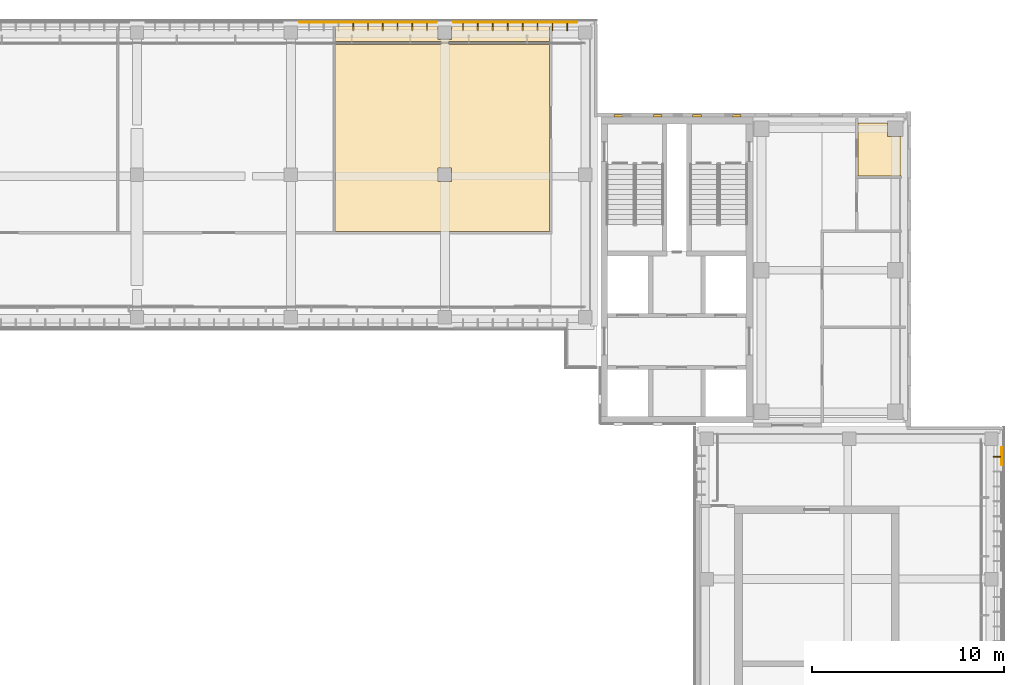
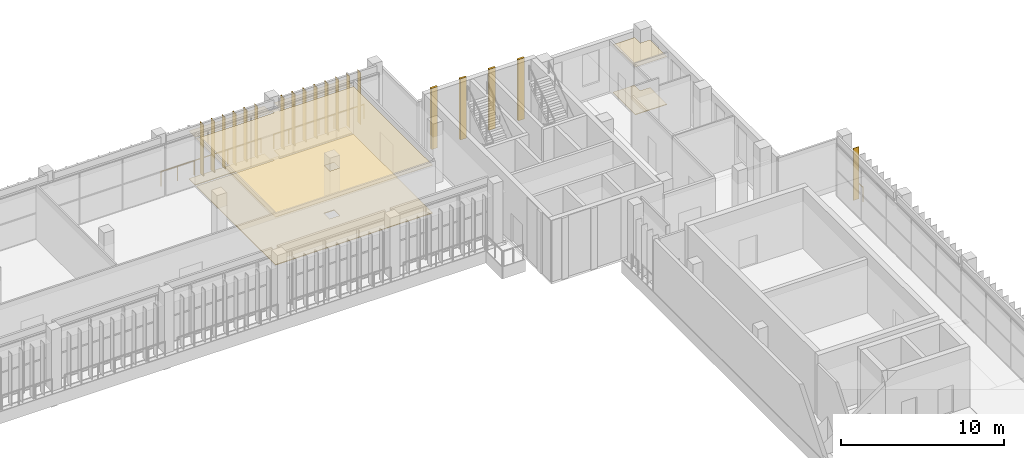
# One storey, part 73 of 73: 15 shading devices, 8 coverings, 3 railings.
"""IFC4 building model written with IfcOpenShell, lengths in metres."""

from ifc_helpers import new_model, si_unit, direction, frame, frame_2d, origin, origin_2d, place, context, subcontext, project, spatial, polyline, rectangle, circle, outline, extrude, material, layer, layer_set, type_object, element, save


model = new_model("IFC4")

# Units and contexts
model_context = context("Model", 3, precision=1e-05, world=origin(), true_north=direction((0.0, 1.0)))
body_context = subcontext(model_context, "Body", "Model", "MODEL_VIEW")
ifc_project = project(units=[si_unit("LENGTHUNIT", "METRE"), si_unit("AREAUNIT", "SQUARE_METRE"), si_unit("VOLUMEUNIT", "CUBIC_METRE"), si_unit("PLANEANGLEUNIT", "RADIAN"), si_unit("MASSUNIT", "GRAM", prefix="KILO")], contexts=[model_context])

# Site, building, storey
site_placement = place(None, origin())
site = spatial("IfcSite", under=ifc_project, at=site_placement, CompositionType="ELEMENT")
building_placement = place(site_placement, origin())
building = spatial("IfcBuilding", under=site, at=building_placement, Name="Lantern Court Media Centre", CompositionType="ELEMENT")
storey_placement = place(building_placement, frame((0.0, 0.0, 24.0)))
storey = spatial("IfcBuildingStorey", under=building, at=storey_placement, Name="L05", CompositionType="ELEMENT", Elevation=24.0)

# Coverings
ifc_material_1 = material(Name="Carpet")
ifc_layer_1 = layer(ifc_material_1, 0.050048828125)
ifc_layer_set_1 = layer_set([ifc_layer_1], Name="Carpet")
covering_type_1 = type_object("IfcCoveringType", Name="Carpet floor finish", PredefinedType="FLOORING", material=ifc_layer_set_1)
covering_1_placement = place(storey_placement, origin())
element("IfcCovering", 1, at=covering_1_placement, inside=storey, type_object=covering_type_1, Name="Media Training Room 03 floor finish", PredefinedType="FLOORING", context=body_context, shape_type="SweptSolid", body=[
    extrude(outline(polyline([(77.4326171875, 116.699951171875), (77.4326171875, 115.929931640625), (72.195068359375, 115.925048828125), (72.199951171875, 115.77001953125), (77.4326171875, 115.77001953125), (77.4326171875, 106.0673828125), (66.304931640625, 106.0673828125), (66.304931640625, 115.77001953125), (71.804931640625, 115.77490234375), (71.800048828125, 115.929931640625), (66.304931640625, 115.929931640625), (66.304931640625, 116.699951171875), (71.64501953125, 116.699951171875), (71.64990234375, 116.044921875), (72.353515625, 116.04638671875), (72.35498046875, 116.699951171875), (77.4326171875, 116.699951171875)]), holes=[polyline([(71.64501953125, 108.64990234375), (72.353515625, 108.646484375), (72.353515625, 109.353515625), (71.646484375, 109.353515625), (71.64501953125, 108.64990234375)])]), origin(), (0.0, 0.0, 1.0), 0.050048828125),
])
covering_2_placement = place(storey_placement, origin())
element("IfcCovering", 2, at=covering_2_placement, inside=storey, type_object=covering_type_1, Name="WC Male floor finish", PredefinedType="FLOORING", context=body_context, shape_type="SweptSolid", body=[
    extrude(outline(polyline([(95.699951171875, 108.943115234375), (93.467529296875, 108.943115234375), (93.467529296875, 111.699951171875), (94.9951171875, 111.699951171875), (94.99658203125, 110.99658203125), (95.699951171875, 110.9951171875), (95.699951171875, 108.943115234375)])), origin(), (0.0, 0.0, 1.0), 0.050048828125),
])

# Railings
ifc_material_2 = material(Name="Powder-coated steel", Category="steel")
railing_type = type_object("IfcRailingType", Name="Floor edge guard 1100", PredefinedType="GUARDRAIL", material=ifc_material_2)
railing_1_placement = place(storey_placement, frame((64.464111328125, 116.93994140625, 0.0)))
element("IfcRailing", 3, at=railing_1_placement, inside=storey, type_object=railing_type, Name="L05 edge guard 184", PredefinedType="GUARDRAIL", context=body_context, shape_type="SweptSolid", body=[
    extrude(circle(Radius=0.02392578125, at=origin_2d()), frame((0.0, 0.0, 1.076171875), z_axis=(1.0, 0.0, 0.0), x_axis=(0.0, 1.0, 0.0)), (0.0, 0.0, 1.0), 7.097900390625),
    extrude(circle(Radius=0.02099609375, at=origin_2d()), origin(), (0.0, 0.0, 1.0), 1.052001953125),
    extrude(circle(Radius=0.02099609375, at=origin_2d()), frame((1.18310546875, 0.0, 0.0)), (0.0, 0.0, 1.0), 1.052001953125),
    extrude(circle(Radius=0.02099609375, at=origin_2d()), frame((2.365966796875, 0.0, 0.0)), (0.0, 0.0, 1.0), 1.052001953125),
    extrude(circle(Radius=0.02099609375, at=origin_2d()), frame((3.548828125, 0.0, 0.0)), (0.0, 0.0, 1.0), 1.052001953125),
    extrude(circle(Radius=0.02099609375, at=origin_2d()), frame((4.73193359375, 0.0, 0.0)), (0.0, 0.0, 1.0), 1.052001953125),
    extrude(circle(Radius=0.02099609375, at=origin_2d()), frame((5.9150390625, 0.0, 0.0)), (0.0, 0.0, 1.0), 1.052001953125),
    extrude(circle(Radius=0.02099609375, at=origin_2d()), frame((7.097900390625, 0.0, 0.0)), (0.0, 0.0, 1.0), 1.052001953125),
])
railing_2_placement = place(storey_placement, frame((72.4619140625, 116.93994140625, 0.0)))
element("IfcRailing", 4, at=railing_2_placement, inside=storey, type_object=railing_type, Name="L05 edge guard 187", PredefinedType="GUARDRAIL", context=body_context, shape_type="SweptSolid", body=[
    extrude(circle(Radius=0.02392578125, at=origin_2d()), frame((0.0, 0.0, 1.076171875), z_axis=(1.0, 0.0, 0.0), x_axis=(0.0, 1.0, 0.0)), (0.0, 0.0, 1.0), 6.398193359375),
    extrude(circle(Radius=0.02099609375, at=origin_2d()), origin(), (0.0, 0.0, 1.0), 1.052001953125),
    extrude(circle(Radius=0.02099609375, at=origin_2d()), frame((1.06640625, 0.0, 0.0)), (0.0, 0.0, 1.0), 1.052001953125),
    extrude(circle(Radius=0.02099609375, at=origin_2d()), frame((2.1328125, 0.0, 0.0)), (0.0, 0.0, 1.0), 1.052001953125),
    extrude(circle(Radius=0.02099609375, at=origin_2d()), frame((3.19921875, 0.0, 0.0)), (0.0, 0.0, 1.0), 1.052001953125),
    extrude(circle(Radius=0.02099609375, at=origin_2d()), frame((4.265380859375, 0.0, 0.0)), (0.0, 0.0, 1.0), 1.052001953125),
    extrude(circle(Radius=0.02099609375, at=origin_2d()), frame((5.331787109375, 0.0, 0.0)), (0.0, 0.0, 1.0), 1.052001953125),
    extrude(circle(Radius=0.02099609375, at=origin_2d()), frame((6.398193359375, 0.0, 0.0)), (0.0, 0.0, 1.0), 1.052001953125),
])
railing_3_placement = place(storey_placement, frame((100.93994140625, 94.841064453125, 0.0)))
element("IfcRailing", 5, at=railing_3_placement, inside=storey, type_object=railing_type, Name="L05 edge guard 195", PredefinedType="GUARDRAIL", context=body_context, shape_type="SweptSolid", body=[
    extrude(circle(Radius=0.02392578125, at=origin_2d()), frame((0.0, 0.0, 1.076171875), z_axis=(0.0, -1.0, 0.0), x_axis=(1.0, 0.0, 0.0)), (0.0, 0.0, 1.0), 0.900146484375),
    extrude(circle(Radius=0.02099609375, at=origin_2d()), origin(), (0.0, 0.0, 1.0), 1.052001953125),
    extrude(circle(Radius=0.02099609375, at=origin_2d()), frame((0.0, -0.900146484375, 0.0)), (0.0, 0.0, 1.0), 1.052001953125),
])

# Coverings
ifc_material_3 = material(Name="Honed limestone cladding", Category="masonry")
ifc_layer_2 = layer(ifc_material_3, 0.14990234375)
ifc_layer_set_2 = layer_set([ifc_layer_2], Name="Honed limestone cladding")
covering_type_2 = type_object("IfcCoveringType", Name="Limestone pilaster cladding 150", PredefinedType="CLADDING", material=ifc_layer_set_2)
covering_3_placement = place(storey_placement, frame((80.77490234375, 112.074951171875, 0.0), z_axis=(0.0, 0.0, 1.0), x_axis=(1.0, 0.0, 0.0)))
element("IfcCovering", 6, at=covering_3_placement, inside=storey, type_object=covering_type_2, Name="Limestone pilaster rib", PredefinedType="CLADDING", context=body_context, shape_type="SweptSolid", body=[
    extrude(rectangle(XDim=0.4501953125, YDim=0.14990234375, at=frame_2d((0.22509765625, 0.0))), origin(), (0.0, 0.0, 1.0), 4.580078125),
])
for number, where, z_axis, x_axis, name in (
    (7, (82.824951171875, 112.074951171875, 0.0), (0.0, 0.0, 1.0), (1.0, 0.0, 0.0), "Limestone pilaster rib"),
    (8, (84.875, 112.074951171875, 0.0), (0.0, 0.0, 1.0), (1.0, 0.0, 0.0), "Limestone pilaster rib"),
    (9, (86.925048828125, 112.074951171875, 0.0), (0.0, 0.0, 1.0), (1.0, 0.0, 0.0), "Limestone pilaster rib"),
):
    element("IfcCovering", number, at=place(storey_placement, frame(where, z_axis=z_axis, x_axis=x_axis)), inside=storey, type_object=covering_type_2, Name=name, PredefinedType="CLADDING", context=body_context, shape_type="SweptSolid", body=[
        extrude(rectangle(XDim=0.449951171875, YDim=0.14990234375, at=frame_2d((0.22509765625, 0.0))), origin(), (0.0, 0.0, 1.0), 4.580078125),
    ])
ifc_material_4 = material(Name="Mineral fibre ceiling tile")
ifc_layer_3 = layer(ifc_material_4, 0.02001953125)
ifc_layer_set_3 = layer_set([ifc_layer_3], Name="Mineral fibre ceiling tile")
covering_type_3 = type_object("IfcCoveringType", Name="Suspended ceiling tile", PredefinedType="CEILING", material=ifc_layer_set_3)
covering_4_placement = place(storey_placement, frame((0.0, 0.0, 3.60009765625)))
element("IfcCovering", 10, at=covering_4_placement, inside=storey, type_object=covering_type_3, Name="Media Training Room 03 ceiling", PredefinedType="CEILING", context=body_context, shape_type="SweptSolid", body=[
    extrude(outline(polyline([(77.5, 115.7705078125), (77.43701171875, 115.77001953125), (77.43701171875, 106.06298828125), (66.300537109375, 106.06298828125), (66.300537109375, 115.77001953125), (66.25, 115.7744140625), (71.800537109375, 115.77490234375), (71.800048828125, 115.925537109375), (66.25, 115.925537109375), (66.300537109375, 115.929931640625), (66.300537109375, 116.699951171875), (71.6494140625, 116.699951171875), (71.64990234375, 116.049560546875), (72.350341796875, 116.049560546875), (72.3505859375, 116.699951171875), (77.43701171875, 116.699951171875), (77.43701171875, 115.929931640625), (77.5, 115.925537109375), (72.199951171875, 115.925537109375), (72.199462890625, 115.77490234375), (77.5, 115.7705078125)]), holes=[polyline([(72.35009765625, 108.6494140625), (72.350341796875, 109.350341796875), (71.649658203125, 109.350341796875), (71.649658203125, 108.649658203125), (72.35009765625, 108.6494140625)])]), origin(), (0.0, 0.0, 1.0), 0.02001953125),
])
covering_5_placement = place(storey_placement, frame((0.0, 0.0, 3.60009765625)))
element("IfcCovering", 11, at=covering_5_placement, inside=storey, type_object=covering_type_3, Name="WC Male ceiling", PredefinedType="CEILING", context=body_context, shape_type="SweptSolid", body=[
    extrude(outline(polyline([(95.699951171875, 108.9384765625), (93.462890625, 108.9384765625), (93.462890625, 111.699951171875), (94.99951171875, 111.699951171875), (94.999755859375, 110.999755859375), (95.699951171875, 110.99951171875), (95.699951171875, 108.9384765625)])), origin(), (0.0, 0.0, 1.0), 0.02001953125),
])

# Shading devices
ifc_material_5 = material(Name="Bronze anodised aluminium louvre", Category="aluminium")
ifc_layer_4 = layer(ifc_material_5, 0.0400390625)
ifc_layer_set_4 = layer_set([ifc_layer_4], Name="Bronze anodised aluminium louvre")
shading_device_type = type_object("IfcShadingDeviceType", Name="Vertical louvre 40x400 under beam", PredefinedType="USERDEFINED", material=ifc_layer_set_4)
for number, where, z_axis, x_axis, name in (
    (12, (67.2333984375, 116.679931640625, 0.0), (0.0, 0.0, 1.0), (1.0, 0.0, 0.0), "Vertical louvre N outer L05"),
    (13, (68.0, 116.679931640625, 0.0), (0.0, 0.0, 1.0), (1.0, 0.0, 0.0), "Vertical louvre N outer L05"),
    (14, (68.7666015625, 116.679931640625, 0.0), (0.0, 0.0, 1.0), (1.0, 0.0, 0.0), "Vertical louvre N outer L05"),
    (15, (69.533447265625, 116.679931640625, 0.0), (0.0, 0.0, 1.0), (1.0, 0.0, 0.0), "Vertical louvre N outer L05"),
    (16, (70.300048828125, 116.679931640625, 0.0), (0.0, 0.0, 1.0), (1.0, 0.0, 0.0), "Vertical louvre N outer L05"),
    (17, (71.066650390625, 116.679931640625, 0.0), (0.0, 0.0, 1.0), (1.0, 0.0, 0.0), "Vertical louvre N outer L05"),
    (18, (72.9375, 116.679931640625, 0.0), (0.0, 0.0, 1.0), (1.0, 0.0, 0.0), "Vertical louvre N outer L05"),
    (19, (73.71240234375, 116.679931640625, 0.0), (0.0, 0.0, 1.0), (1.0, 0.0, 0.0), "Vertical louvre N outer L05"),
    (20, (74.487548828125, 116.679931640625, 0.0), (0.0, 0.0, 1.0), (1.0, 0.0, 0.0), "Vertical louvre N outer L05"),
    (21, (75.262451171875, 116.679931640625, 0.0), (0.0, 0.0, 1.0), (1.0, 0.0, 0.0), "Vertical louvre N outer L05"),
    (22, (76.03759765625, 116.679931640625, 0.0), (0.0, 0.0, 1.0), (1.0, 0.0, 0.0), "Vertical louvre N outer L05"),
    (23, (76.8125, 116.679931640625, 0.0), (0.0, 0.0, 1.0), (1.0, 0.0, 0.0), "Vertical louvre N outer L05"),
    (24, (77.58740234375, 116.679931640625, 0.0), (0.0, 0.0, 1.0), (1.0, 0.0, 0.0), "Vertical louvre N outer L05"),
    (25, (78.362548828125, 116.679931640625, 0.0), (0.0, 0.0, 1.0), (1.0, 0.0, 0.0), "Vertical louvre N outer L05"),
):
    element("IfcShadingDevice", number, at=place(storey_placement, frame(where, z_axis=z_axis, x_axis=x_axis)), inside=storey, type_object=shading_device_type, Name=name, ObjectType="VERTICAL LOUVRE", PredefinedType="USERDEFINED", context=body_context, shape_type="SweptSolid", body=[
        extrude(rectangle(XDim=0.0400390625, YDim=0.39990234375, at=origin_2d()), origin(), (0.0, 0.0, 1.0), 3.89990234375),
    ])
shading_device_placement = place(storey_placement, frame((100.679931640625, 94.362548828125, 0.0), z_axis=(0.0, 0.0, 1.0), x_axis=(1.0, 0.0, 0.0)))
element("IfcShadingDevice", 26, at=shading_device_placement, inside=storey, type_object=shading_device_type, Name="Vertical louvre E outer L05", ObjectType="VERTICAL LOUVRE", PredefinedType="USERDEFINED", context=body_context, shape_type="SweptSolid", body=[
    extrude(rectangle(XDim=0.39990234375, YDim=0.0400390625, at=origin_2d()), origin(), (0.0, 0.0, 1.0), 3.89990234375),
])

save(model, "model.ifc")
